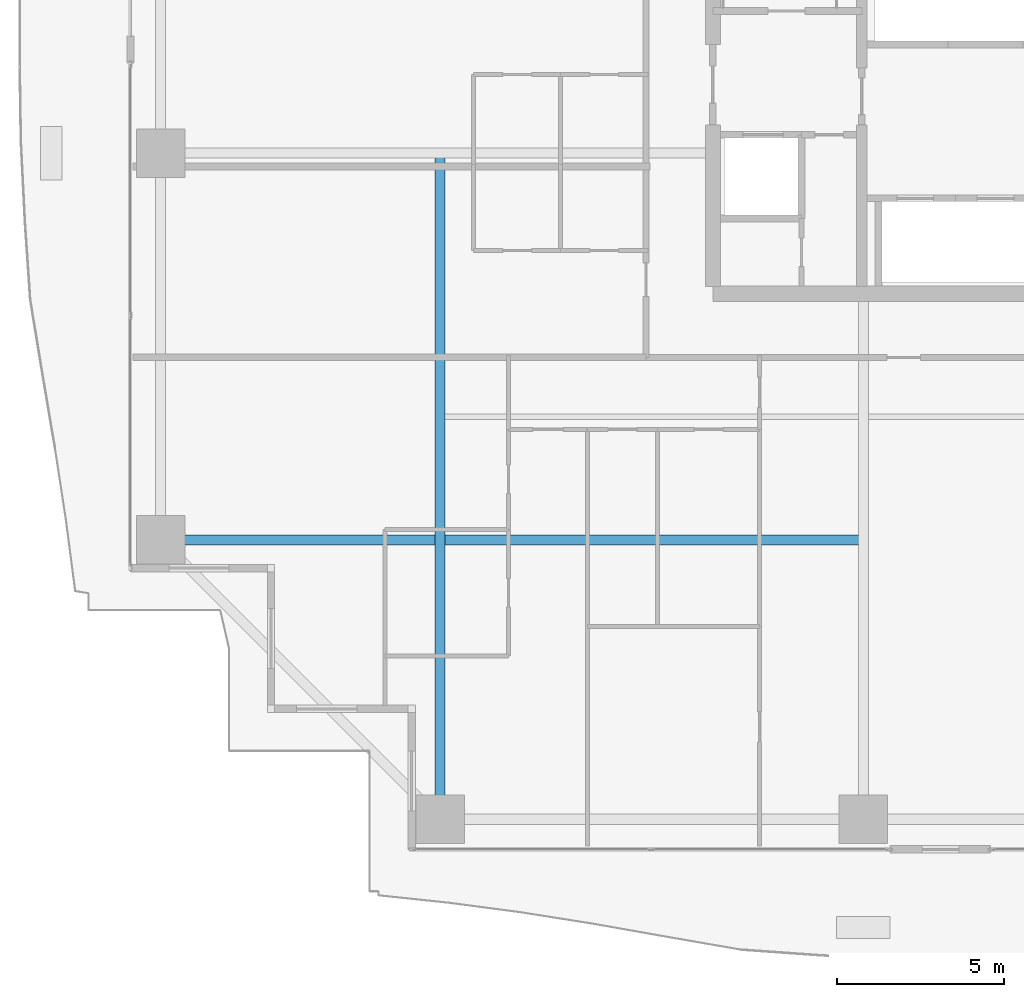
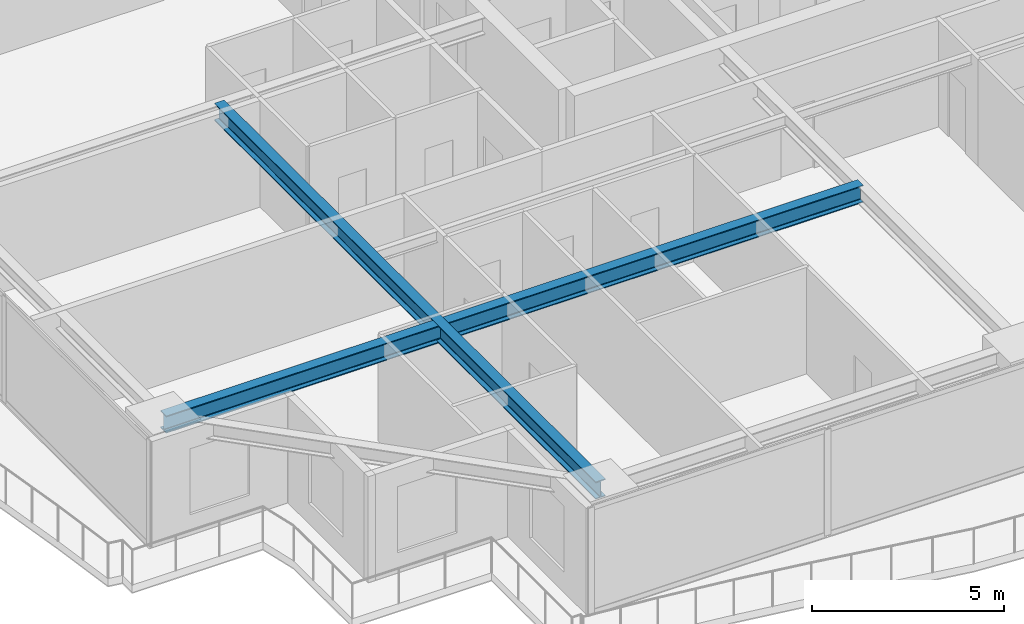
# One storey, part 4 of 40: 2 beams.
"""IFC4 building model written with IfcOpenShell, lengths in metres."""

from ifc_helpers import new_model, si_unit, direction, frame, origin, origin_2d, place, context, subcontext, project, spatial, i_section, extrude, source, transform, mapped, material, material_profile, profile_set, type_object, element, save


model = new_model("IFC4")

# Units and contexts
model_context = context("Model", 3, precision=1e-05, world=origin(), true_north=direction((0.0, 1.0)))
body_context = subcontext(model_context, "Body", "Model", "MODEL_VIEW")
ifc_project = project(units=[si_unit("LENGTHUNIT", "METRE"), si_unit("AREAUNIT", "SQUARE_METRE"), si_unit("VOLUMEUNIT", "CUBIC_METRE"), si_unit("PLANEANGLEUNIT", "RADIAN"), si_unit("MASSUNIT", "GRAM", prefix="KILO")], contexts=[model_context])

# Site, building, storey
site_placement = place(None, origin())
site = spatial("IfcSite", under=ifc_project, at=site_placement, CompositionType="ELEMENT")
building_placement = place(site_placement, origin())
building = spatial("IfcBuilding", under=site, at=building_placement, Name="Serunith Strait Residences", CompositionType="ELEMENT")
storey_placement = place(building_placement, frame((0.0, 0.0, 105.449951171875)))
storey = spatial("IfcBuildingStorey", under=building, at=storey_placement, Name="L26", CompositionType="ELEMENT", Elevation=105.449951171875)

# Beams
ifc_material = material(Name="Steel S355J2", Category="steel")
ifc_material_profile = material_profile(ifc_material, i_section(OverallWidth=0.300048828125, OverallDepth=0.550048828125, WebThickness=0.014892578125, FlangeThickness=0.029052734375, FilletRadius=0.027099609375, at=origin_2d()), Name="HEB 550")
ifc_profile_set = profile_set([ifc_material_profile], Name="Steel S355J2")
beam_type = type_object("IfcBeamType", Name="BM-HEB550", PredefinedType="BEAM", material=ifc_profile_set)
shared_shape_1 = source(origin(), body_context, "Body", "SweptSolid", [
    extrude(i_section(OverallWidth=0.300048828125, OverallDepth=0.550048828125, WebThickness=0.014892578125, FlangeThickness=0.029052734375, FilletRadius=0.027099609375, at=origin_2d()), origin(), (0.0, 0.0, 1.0), 19.89990234375),
])
beam_1_placement = place(storey_placement, frame((15.25, 21.0, 3.112060546875), z_axis=(0.0, -1.0, 0.0), x_axis=(1.0, 0.0, 0.0)))
element("IfcBeam", 1, at=beam_1_placement, inside=storey, type_object=beam_type, Name="L26 Orthogonal Corner Girder TC-S1", PredefinedType="BEAM", context=body_context, shape_type="MappedRepresentation", body=[
    mapped(shared_shape_1, transform((0.0, 0.0, 0.0), scale=1.0)),
])
shared_shape_2 = source(origin(), body_context, "Body", "SweptSolid", [
    extrude(i_section(OverallWidth=0.300048828125, OverallDepth=0.550048828125, WebThickness=0.014892578125, FlangeThickness=0.029052734375, FilletRadius=0.027099609375, at=origin_2d()), origin(), (0.0, 0.0, 1.0), 21.0),
])
beam_2_placement = place(storey_placement, frame((27.89990234375, 9.449951171875, 3.112060546875), z_axis=(-1.0, 0.0, 0.0), x_axis=(0.0, -1.0, 0.0)))
element("IfcBeam", 2, at=beam_2_placement, inside=storey, type_object=beam_type, Name="L26 Orthogonal Corner Girder TC-W1", PredefinedType="BEAM", context=body_context, shape_type="MappedRepresentation", body=[
    mapped(shared_shape_2, transform((0.0, 0.0, 0.0), scale=1.0)),
])

save(model, "model.ifc")
